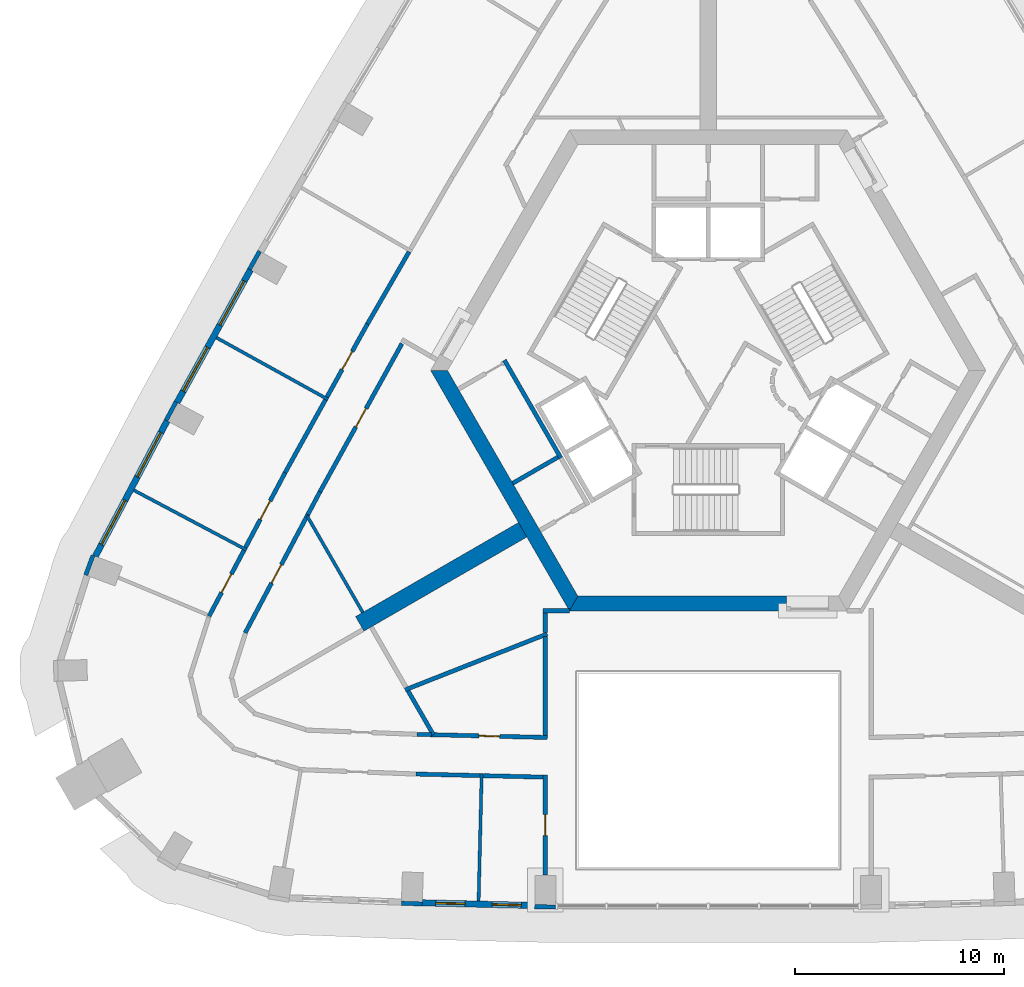
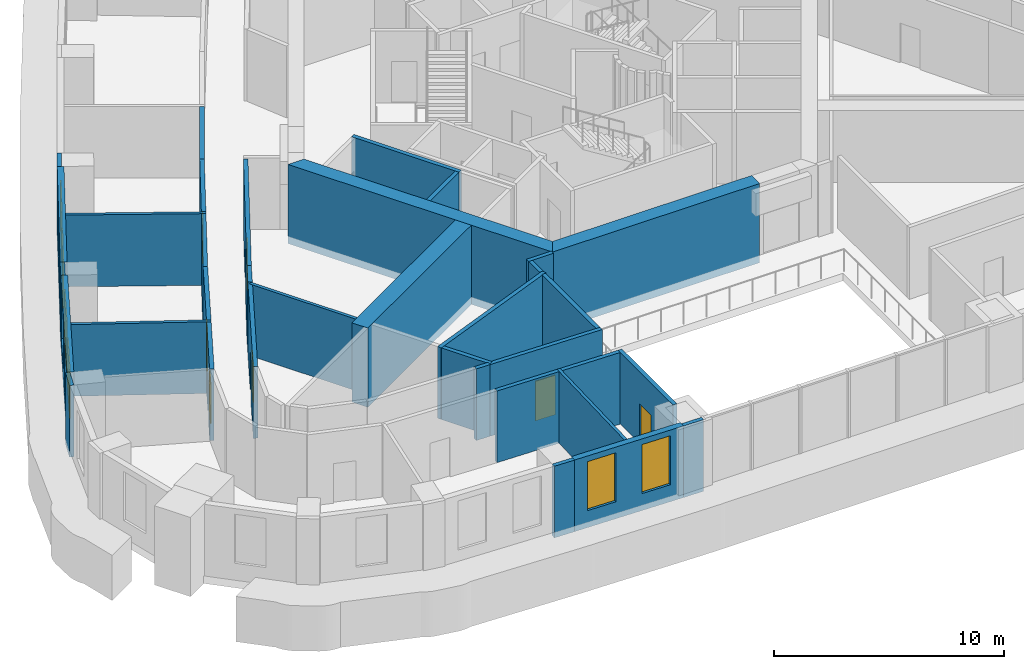
# One storey, part 4 of 13: 35 walls, 7 doors, 6 windows, 13 openings.
"""IFC4 building model written with IfcOpenShell, lengths in metres."""

from ifc_helpers import new_model, si_unit, direction, frame, frame_2d, origin, place, context, subcontext, project, spatial, polyline, rectangle, outline, extrude, material, layer, layer_set, type_object, element, fill, save


model = new_model("IFC4")

# Units and contexts
model_context = context("Model", 3, precision=1e-05, world=origin(), true_north=direction((0.0, 1.0)))
body_context = subcontext(model_context, "Body", "Model", "MODEL_VIEW")
ifc_project = project(units=[si_unit("LENGTHUNIT", "METRE"), si_unit("AREAUNIT", "SQUARE_METRE"), si_unit("VOLUMEUNIT", "CUBIC_METRE"), si_unit("PLANEANGLEUNIT", "RADIAN"), si_unit("MASSUNIT", "GRAM", prefix="KILO")], contexts=[model_context])

# Site, building, storey
site_placement = place(None, origin())
site = spatial("IfcSite", under=ifc_project, at=site_placement, CompositionType="ELEMENT")
building_placement = place(site_placement, origin())
building = spatial("IfcBuilding", under=site, at=building_placement, Name="Entoto Arch Interchange Tower", CompositionType="ELEMENT")
storey_placement = place(building_placement, frame((0.0, 0.0, 219.199951171875)))
storey = spatial("IfcBuildingStorey", under=building, at=storey_placement, Name="L49", CompositionType="ELEMENT", Elevation=219.199951171875)

# Walls
ifc_material_1 = material(Name="Concrete C50/60", Category="concrete")
ifc_layer_1 = layer(ifc_material_1, 0.800048828125)
ifc_layer_set_1 = layer_set([ifc_layer_1], Name="Concrete C50/60")
wall_type_1 = type_object("IfcWallType", Name="Buttress wall 800 C50/60", PredefinedType="SHEAR", material=ifc_layer_set_1)
wall_1_placement = place(storey_placement, frame((-8.876953125, -5.125, -0.39990234375), z_axis=(0.0, 0.0, 1.0), x_axis=(-0.866017533419, -0.500013631625, 0.0)))
element("IfcWall", 1, at=wall_1_placement, inside=storey, type_object=wall_type_1, Name="Buttress wall SW L49", PredefinedType="SHEAR", context=body_context, shape_type="SweptSolid", body=[
    extrude(rectangle(XDim=8.999755859375, YDim=0.800048828125, at=frame_2d((4.5, 0.0))), origin(), (0.0, 0.0, 1.0), 4.199951171875),
])
ifc_layer_2 = layer(ifc_material_1, 0.699951171875)
ifc_layer_set_2 = layer_set([ifc_layer_2], Name="Concrete C50/60")
wall_type_2 = type_object("IfcWallType", Name="Core wall 700 C50/60", PredefinedType="SHEAR", material=ifc_layer_set_2)
wall_2_placement = place(storey_placement, frame((0.0, 0.0, -0.39990234375)))
element("IfcWall", 2, at=wall_2_placement, inside=storey, type_object=wall_type_2, Name="Core wall SW L49", PredefinedType="SHEAR", context=body_context, shape_type="SweptSolid", body=[
    extrude(outline(polyline([(-13.279052734375, 2.5), (-6.639892578125, -9.0), (-6.235107421875, -8.300048828125), (-12.470947265625, 2.5), (-13.279052734375, 2.5)])), origin(), (0.0, 0.0, 1.0), 4.199951171875),
])
wall_3_placement = place(storey_placement, frame((0.0, 0.0, -0.39990234375)))
element("IfcWall", 3, at=wall_3_placement, inside=storey, type_object=wall_type_2, Name="Core wall S L49", PredefinedType="SHEAR", context=body_context, shape_type="SweptSolid", body=[
    extrude(outline(polyline([(3.75, -9.0), (3.75, -8.300048828125), (-6.235107421875, -8.300048828125), (-6.639892578125, -9.0), (3.75, -9.0)])), origin(), (0.0, 0.0, 1.0), 4.199951171875),
])
ifc_material_2 = material(Name="Gypsum board partition on steel studs", Category="steel")
ifc_layer_3 = layer(ifc_material_2, 0.14990234375)
ifc_layer_set_3 = layer_set([ifc_layer_3], Name="Gypsum board partition on steel studs")
wall_type_3 = type_object("IfcWallType", Name="PARTITION 150", PredefinedType="PARTITIONING", material=ifc_layer_set_3)
wall_4_placement = place(storey_placement, frame((-16.52490234375, -9.0791015625, 0.0), z_axis=(0.0, 0.0, 1.0), x_axis=(-0.499943228252, 0.866058178487, 0.0)))
element("IfcWall", 4, at=wall_4_placement, inside=storey, type_object=wall_type_3, Name="wall:L49:p113", PredefinedType="PARTITIONING", context=body_context, shape_type="SweptSolid", body=[
    extrude(rectangle(XDim=5.32861328125, YDim=0.14990234375, at=frame_2d((2.664306640625, 0.0))), origin(), (0.0, 0.0, 1.0), 3.800048828125),
])
wall_5_placement = place(storey_placement, frame((-18.18896484375, 1.111083984375, 0.0), z_axis=(0.0, 0.0, 1.0), x_axis=(-0.874928335558, 0.484252421405, 0.0)))
element("IfcWall", 5, at=wall_5_placement, inside=storey, type_object=wall_type_3, Name="wall:L49:p126", PredefinedType="PARTITIONING", context=body_context, shape_type="SweptSolid", body=[
    extrude(rectangle(XDim=6.099853515625, YDim=0.14990234375, at=frame_2d((3.0498046875, 0.0))), origin(), (0.0, 0.0, 1.0), 3.800048828125),
])
wall_6_placement = place(storey_placement, frame((-22.0869140625, -6.089111328125, 0.0), z_axis=(0.0, 0.0, 1.0), x_axis=(-0.883611647524, 0.468220521079, 0.0)))
element("IfcWall", 6, at=wall_6_placement, inside=storey, type_object=wall_type_3, Name="wall:L49:p127", PredefinedType="PARTITIONING", context=body_context, shape_type="SweptSolid", body=[
    extrude(rectangle(XDim=6.10009765625, YDim=0.14990234375, at=frame_2d((3.050048828125, 0.0))), origin(), (0.0, 0.0, 1.0), 3.800048828125),
])
wall_7_placement = place(storey_placement, frame((-10.837890625, -16.785888671875, 0.0), z_axis=(0.0, 0.0, 1.0), x_axis=(-0.024134212614, -0.999708727471, 0.0)))
element("IfcWall", 7, at=wall_7_placement, inside=storey, type_object=wall_type_3, Name="wall:L49:p130", PredefinedType="PARTITIONING", context=body_context, shape_type="SweptSolid", body=[
    extrude(rectangle(XDim=6.099853515625, YDim=0.14990234375, at=frame_2d((3.0498046875, 0.0))), origin(), (0.0, 0.0, 1.0), 3.800048828125),
])

# Wall, opening, door
ifc_layer_4 = layer(ifc_material_2, 0.199951171875)
ifc_layer_set_4 = layer_set([ifc_layer_4], Name="Gypsum board partition on steel studs")
wall_type_4 = type_object("IfcWallType", Name="PARTITION 200", PredefinedType="PARTITIONING", material=ifc_layer_set_4)
wall_8_placement = place(storey_placement, frame((-14.652099609375, 3.782958984375, 0.0), z_axis=(0.0, 0.0, 1.0), x_axis=(-0.484249955458, -0.874929700398, 0.0)))
wall_8 = element("IfcWall", 8, at=wall_8_placement, inside=storey, type_object=wall_type_4, Name="wall:L49:p025", PredefinedType="PARTITIONING", context=body_context, shape_type="SweptSolid", body=[
    extrude(rectangle(XDim=8.098876953125, YDim=0.199951171875, at=frame_2d((4.04931640625, 0.0))), origin(), (0.0, 0.0, 1.0), 3.800048828125),
])
opening_1_placement = place(wall_8_placement, frame((3.550048828125, 0.0, 0.0)))
opening_1 = element("IfcOpeningElement", 9, at=opening_1_placement, cuts=wall_8, Name="Opening L49-D21", PredefinedType="OPENING", context=body_context, shape_type="SweptSolid", body=[
    extrude(rectangle(XDim=1.0, YDim=2.10009765625, at=frame_2d((0.5, 1.050048828125))), frame((0.0, 0.10986328125, 0.0), z_axis=(0.0, -1.0, 0.0), x_axis=(1.0, 0.0, 0.0)), (0.0, 0.0, 1.0), 0.219970703125),
])
ifc_material_3 = material(Name="Timber door leaf in Steel S235 frame", Category="steel")
door_type = type_object("IfcDoorType", Name="DOOR DS-10 1000x2100", OperationType="SINGLE_SWING_LEFT", PredefinedType="DOOR", material=ifc_material_3)
door_1_placement = place(opening_1_placement, origin())
door_1 = element("IfcDoor", 10, at=door_1_placement, inside=storey, type_object=door_type, Name="door:L49:21", OperationType="SINGLE_SWING_LEFT", OverallHeight=2.10009765625, OverallWidth=1.0, PredefinedType="DOOR", context=body_context, shape_type="SweptSolid", body=[
    extrude(rectangle(XDim=1.0, YDim=2.10009765625, at=frame_2d((0.5, 1.050048828125))), frame((0.0, 0.02490234375, 0.0), z_axis=(0.0, -1.0, 0.0), x_axis=(1.0, 0.0, 0.0)), (0.0, 0.0, 1.0), 0.050048828125),
])
fill(opening_1, door_1)

# Wall
wall_9_placement = place(storey_placement, frame((-18.573974609375, -3.302978515625, 0.0), z_axis=(0.0, 0.0, 1.0), x_axis=(-0.468458328651, -0.883485593724, 0.0)))
element("IfcWall", 11, at=wall_9_placement, inside=storey, type_object=wall_type_4, Name="wall:L49:p026", PredefinedType="PARTITIONING", context=body_context, shape_type="SweptSolid", body=[
    extrude(rectangle(XDim=1.23828125, YDim=0.199951171875, at=frame_2d((0.619140625, 0.0))), origin(), (0.0, 0.0, 1.0), 3.800048828125),
])

# Wall, opening, door
wall_10_placement = place(storey_placement, frame((-13.24609375, -14.927001953125, 0.0), z_axis=(0.0, 0.0, 1.0), x_axis=(0.999708107757, -0.024159869312, 0.0)))
wall_10 = element("IfcWall", 12, at=wall_10_placement, inside=storey, type_object=wall_type_4, Name="wall:L49:p027", PredefinedType="PARTITIONING", context=body_context, shape_type="SweptSolid", body=[
    extrude(rectangle(XDim=5.5478515625, YDim=0.199951171875, at=frame_2d((2.77392578125, 0.0))), origin(), (0.0, 0.0, 1.0), 3.800048828125),
])
opening_2_placement = place(wall_10_placement, frame((2.27392578125, 0.0, 0.0)))
opening_2 = element("IfcOpeningElement", 13, at=opening_2_placement, cuts=wall_10, Name="Opening L49-D22", PredefinedType="OPENING", context=body_context, shape_type="SweptSolid", body=[
    extrude(rectangle(XDim=1.0, YDim=2.10009765625, at=frame_2d((0.5, 1.050048828125))), frame((0.0, 0.10986328125, 0.0), z_axis=(0.0, -1.0, 0.0), x_axis=(1.0, 0.0, 0.0)), (0.0, 0.0, 1.0), 0.219970703125),
])
door_2_placement = place(opening_2_placement, origin())
door_2 = element("IfcDoor", 14, at=door_2_placement, inside=storey, type_object=door_type, Name="door:L49:22", OperationType="SINGLE_SWING_LEFT", OverallHeight=2.10009765625, OverallWidth=1.0, PredefinedType="DOOR", context=body_context, shape_type="SweptSolid", body=[
    extrude(rectangle(XDim=1.0, YDim=2.10009765625, at=frame_2d((0.5, 1.050048828125))), frame((0.0, 0.02490234375, 0.0), z_axis=(0.0, -1.0, 0.0), x_axis=(1.0, 0.0, 0.0)), (0.0, 0.0, 1.0), 0.050048828125),
])
fill(opening_2, door_2)

wall_11_placement = place(storey_placement, frame((-19.154052734375, -4.39697265625, 0.0), z_axis=(0.0, 0.0, 1.0), x_axis=(-0.468118749105, -0.883665568378, 0.0)))
wall_11 = element("IfcWall", 15, at=wall_11_placement, inside=storey, type_object=wall_type_4, Name="wall:L49:p028", PredefinedType="PARTITIONING", context=body_context, shape_type="SweptSolid", body=[
    extrude(rectangle(XDim=6.40869140625, YDim=0.199951171875, at=frame_2d((3.204345703125, 0.0))), origin(), (0.0, 0.0, 1.0), 3.800048828125),
])
opening_3_placement = place(wall_11_placement, frame((2.7041015625, 0.0, 0.0)))
opening_3 = element("IfcOpeningElement", 16, at=opening_3_placement, cuts=wall_11, Name="Opening L49-D23", PredefinedType="OPENING", context=body_context, shape_type="SweptSolid", body=[
    extrude(rectangle(XDim=1.0, YDim=2.10009765625, at=frame_2d((0.5, 1.050048828125))), frame((0.0, 0.10986328125, 0.0), z_axis=(0.0, -1.0, 0.0), x_axis=(1.0, 0.0, 0.0)), (0.0, 0.0, 1.0), 0.219970703125),
])
door_3_placement = place(opening_3_placement, origin())
door_3 = element("IfcDoor", 17, at=door_3_placement, inside=storey, type_object=door_type, Name="door:L49:23", OperationType="SINGLE_SWING_LEFT", OverallHeight=2.10009765625, OverallWidth=1.0, PredefinedType="DOOR", context=body_context, shape_type="SweptSolid", body=[
    extrude(rectangle(XDim=1.0, YDim=2.10009765625, at=frame_2d((0.5, 1.050048828125))), frame((0.0, 0.02490234375, 0.0), z_axis=(0.0, -1.0, 0.0), x_axis=(1.0, 0.0, 0.0)), (0.0, 0.0, 1.0), 0.050048828125),
])
fill(opening_3, door_3)

# Wall
wall_12_placement = place(storey_placement, frame((-13.928955078125, -14.910888671875, 0.0), z_axis=(0.0, 0.0, 1.0), x_axis=(0.999721713829, -0.023590144123, 0.0)))
element("IfcWall", 18, at=wall_12_placement, inside=storey, type_object=wall_type_4, Name="wall:L49:p034", PredefinedType="PARTITIONING", context=body_context, shape_type="SweptSolid", body=[
    extrude(rectangle(XDim=0.68310546875, YDim=0.199951171875, at=frame_2d((0.341552734375, 0.0))), origin(), (0.0, 0.0, 1.0), 3.800048828125),
])

# Wall, opening, door
wall_13_placement = place(storey_placement, frame((-18.239990234375, 1.22509765625, 0.0), z_axis=(0.0, 0.0, 1.0), x_axis=(0.484411997038, 0.874839995156, 0.0)))
wall_13 = element("IfcWall", 19, at=wall_13_placement, inside=storey, type_object=wall_type_4, Name="wall:L49:p055", PredefinedType="PARTITIONING", context=body_context, shape_type="SweptSolid", body=[
    extrude(rectangle(XDim=3.99267578125, YDim=0.199951171875, at=frame_2d((1.996337890625, 0.0))), origin(), (0.0, 0.0, 1.0), 3.800048828125),
])
opening_4_placement = place(wall_13_placement, frame((1.49609375, 0.0, 0.0)))
opening_4 = element("IfcOpeningElement", 20, at=opening_4_placement, cuts=wall_13, Name="Opening L49-D10", PredefinedType="OPENING", context=body_context, shape_type="SweptSolid", body=[
    extrude(rectangle(XDim=1.0, YDim=2.10009765625, at=frame_2d((0.5, 1.050048828125))), frame((0.0, 0.10986328125, 0.0), z_axis=(0.0, -1.0, 0.0), x_axis=(1.0, 0.0, 0.0)), (0.0, 0.0, 1.0), 0.219970703125),
])
door_4_placement = place(opening_4_placement, origin())
door_4 = element("IfcDoor", 21, at=door_4_placement, inside=storey, type_object=door_type, Name="door:L49:10", OperationType="SINGLE_SWING_LEFT", OverallHeight=2.10009765625, OverallWidth=1.0, PredefinedType="DOOR", context=body_context, shape_type="SweptSolid", body=[
    extrude(rectangle(XDim=1.0, YDim=2.10009765625, at=frame_2d((0.5, 1.050048828125))), frame((0.0, 0.02490234375, 0.0), z_axis=(0.0, -1.0, 0.0), x_axis=(1.0, 0.0, 0.0)), (0.0, 0.0, 1.0), 0.050048828125),
])
fill(opening_4, door_4)

# Wall
wall_14_placement = place(storey_placement, frame((-16.305908203125, 4.718017578125, 0.0), z_axis=(0.0, 0.0, 1.0), x_axis=(0.499803646539, 0.866138738832, 0.0)))
element("IfcWall", 22, at=wall_14_placement, inside=storey, type_object=wall_type_4, Name="wall:L49:p056", PredefinedType="PARTITIONING", context=body_context, shape_type="SweptSolid", body=[
    extrude(rectangle(XDim=3.9912109375, YDim=0.199951171875, at=frame_2d((1.99560546875, 0.0))), origin(), (0.0, 0.0, 1.0), 3.800048828125),
])

# Wall, opening, door
wall_15_placement = place(storey_placement, frame((-22.139892578125, -5.97607421875, 0.0), z_axis=(0.0, 0.0, 1.0), x_axis=(0.467979143965, 0.883739509592, 0.0)))
wall_15 = element("IfcWall", 23, at=wall_15_placement, inside=storey, type_object=wall_type_4, Name="wall:L49:p057", PredefinedType="PARTITIONING", context=body_context, shape_type="SweptSolid", body=[
    extrude(rectangle(XDim=4.048828125, YDim=0.199951171875, at=frame_2d((2.0244140625, 0.0))), origin(), (0.0, 0.0, 1.0), 3.800048828125),
])
opening_5_placement = place(wall_15_placement, frame((1.52392578125, 0.0, 0.0)))
opening_5 = element("IfcOpeningElement", 24, at=opening_5_placement, cuts=wall_15, Name="Opening L49-D11", PredefinedType="OPENING", context=body_context, shape_type="SweptSolid", body=[
    extrude(rectangle(XDim=1.0, YDim=2.10009765625, at=frame_2d((0.5, 1.050048828125))), frame((0.0, 0.10986328125, 0.0), z_axis=(0.0, -1.0, 0.0), x_axis=(1.0, 0.0, 0.0)), (0.0, 0.0, 1.0), 0.219970703125),
])
door_5_placement = place(opening_5_placement, origin())
door_5 = element("IfcDoor", 25, at=door_5_placement, inside=storey, type_object=door_type, Name="door:L49:11", OperationType="SINGLE_SWING_LEFT", OverallHeight=2.10009765625, OverallWidth=1.0, PredefinedType="DOOR", context=body_context, shape_type="SweptSolid", body=[
    extrude(rectangle(XDim=1.0, YDim=2.10009765625, at=frame_2d((0.5, 1.050048828125))), frame((0.0, 0.02490234375, 0.0), z_axis=(0.0, -1.0, 0.0), x_axis=(1.0, 0.0, 0.0)), (0.0, 0.0, 1.0), 0.050048828125),
])
fill(opening_5, door_5)

# Wall
wall_16_placement = place(storey_placement, frame((-20.2451171875, -2.39794921875, 0.0), z_axis=(0.0, 0.0, 1.0), x_axis=(0.484328424129, 0.874886265511, 0.0)))
element("IfcWall", 26, at=wall_16_placement, inside=storey, type_object=wall_type_4, Name="wall:L49:p058", PredefinedType="PARTITIONING", context=body_context, shape_type="SweptSolid", body=[
    extrude(rectangle(XDim=3.9912109375, YDim=0.199951171875, at=frame_2d((1.99560546875, 0.0))), origin(), (0.0, 0.0, 1.0), 3.800048828125),
])

# Wall, opening, door
wall_17_placement = place(storey_placement, frame((-23.8779296875, -9.256103515625, 0.0), z_axis=(0.0, 0.0, 1.0), x_axis=(0.46795384568, 0.883752905689, 0.0)))
wall_17 = element("IfcWall", 27, at=wall_17_placement, inside=storey, type_object=wall_type_4, Name="wall:L49:p059", PredefinedType="PARTITIONING", context=body_context, shape_type="SweptSolid", body=[
    extrude(rectangle(XDim=3.562255859375, YDim=0.199951171875, at=frame_2d((1.78125, 0.0))), origin(), (0.0, 0.0, 1.0), 3.800048828125),
])
opening_6_placement = place(wall_17_placement, frame((1.281005859375, 0.0, 0.0)))
opening_6 = element("IfcOpeningElement", 28, at=opening_6_placement, cuts=wall_17, Name="Opening L49-D12", PredefinedType="OPENING", context=body_context, shape_type="SweptSolid", body=[
    extrude(rectangle(XDim=1.0, YDim=2.10009765625, at=frame_2d((0.5, 1.050048828125))), frame((0.0, 0.10986328125, 0.0), z_axis=(0.0, -1.0, 0.0), x_axis=(1.0, 0.0, 0.0)), (0.0, 0.0, 1.0), 0.219970703125),
])
door_6_placement = place(opening_6_placement, origin())
door_6 = element("IfcDoor", 29, at=door_6_placement, inside=storey, type_object=door_type, Name="door:L49:12", OperationType="SINGLE_SWING_LEFT", OverallHeight=2.10009765625, OverallWidth=1.0, PredefinedType="DOOR", context=body_context, shape_type="SweptSolid", body=[
    extrude(rectangle(XDim=1.0, YDim=2.10009765625, at=frame_2d((0.5, 1.050048828125))), frame((0.0, 0.02490234375, 0.0), z_axis=(0.0, -1.0, 0.0), x_axis=(1.0, 0.0, 0.0)), (0.0, 0.0, 1.0), 0.050048828125),
])
fill(opening_6, door_6)

# Walls
wall_18_placement = place(storey_placement, frame((-10.9150390625, -16.884033203125, 0.0), z_axis=(0.0, 0.0, 1.0), x_axis=(-0.999710384303, 0.024065483947, 0.0)))
element("IfcWall", 30, at=wall_18_placement, inside=storey, type_object=wall_type_4, Name="wall:L49:p064", PredefinedType="PARTITIONING", context=body_context, shape_type="SweptSolid", body=[
    extrude(rectangle(XDim=3.073974609375, YDim=0.199951171875, at=frame_2d((1.537109375, 0.0))), origin(), (0.0, 0.0, 1.0), 3.800048828125),
])
wall_19_placement = place(storey_placement, frame((-7.89990234375, -16.95703125, 0.0), z_axis=(0.0, 0.0, 1.0), x_axis=(-0.999709338637, 0.024108883071, 0.0)))
element("IfcWall", 31, at=wall_19_placement, inside=storey, type_object=wall_type_4, Name="wall:L49:p066", PredefinedType="PARTITIONING", context=body_context, shape_type="SweptSolid", body=[
    extrude(rectangle(XDim=2.86572265625, YDim=0.199951171875, at=frame_2d((1.432861328125, 0.0))), origin(), (0.0, 0.0, 1.0), 3.800048828125),
])
wall_20_placement = place(storey_placement, frame((-7.18798828125, -1.64990234375, 0.0), z_axis=(0.0, 0.0, 1.0), x_axis=(-0.866022959057, -0.500004234368, 0.0)))
element("IfcWall", 32, at=wall_20_placement, inside=storey, type_object=wall_type_4, Name="wall:L49:p078", PredefinedType="PARTITIONING", context=body_context, shape_type="SweptSolid", body=[
    extrude(rectangle(XDim=2.5, YDim=0.199951171875, at=frame_2d((1.25, 0.0))), origin(), (0.0, 0.0, 1.0), 3.800048828125),
])
wall_21_placement = place(storey_placement, frame((-9.7509765625, 2.989990234375, 0.0), z_axis=(0.0, 0.0, 1.0), x_axis=(0.499955951776, -0.866050833545, 0.0)))
element("IfcWall", 33, at=wall_21_placement, inside=storey, type_object=wall_type_4, Name="wall:L49:p080", PredefinedType="PARTITIONING", context=body_context, shape_type="SweptSolid", body=[
    extrude(rectangle(XDim=5.400390625, YDim=0.199951171875, at=frame_2d((2.7001953125, 0.0))), origin(), (0.0, 0.0, 1.0), 3.800048828125),
])
wall_22_placement = place(storey_placement, frame((-7.800048828125, -10.041015625, 0.0), z_axis=(0.0, 0.0, 1.0), x_axis=(0.0, 1.0, 0.0)))
element("IfcWall", 34, at=wall_22_placement, inside=storey, type_object=wall_type_4, Name="wall:L49:p102", PredefinedType="PARTITIONING", context=body_context, shape_type="SweptSolid", body=[
    extrude(rectangle(XDim=0.94189453125, YDim=0.199951171875, at=frame_2d((0.470947265625, 0.0))), origin(), (0.0, 0.0, 1.0), 3.800048828125),
])
wall_23_placement = place(storey_placement, frame((-7.89990234375, -8.9990234375, 0.0), z_axis=(0.0, 0.0, 1.0), x_axis=(1.0, 0.0, 0.0)))
element("IfcWall", 35, at=wall_23_placement, inside=storey, type_object=wall_type_4, Name="wall:L49:p103", PredefinedType="PARTITIONING", context=body_context, shape_type="SweptSolid", body=[
    extrude(rectangle(XDim=1.2587890625, YDim=0.199951171875, at=frame_2d((0.62939453125, 0.0))), origin(), (0.0, 0.0, 1.0), 3.800048828125),
])
wall_24_placement = place(storey_placement, frame((-7.800048828125, -14.958984375, 0.0), z_axis=(0.0, 0.0, 1.0), x_axis=(0.0, 1.0, 0.0)))
element("IfcWall", 36, at=wall_24_placement, inside=storey, type_object=wall_type_4, Name="wall:L49:p104", PredefinedType="PARTITIONING", context=body_context, shape_type="SweptSolid", body=[
    extrude(rectangle(XDim=4.718017578125, YDim=0.199951171875, at=frame_2d((2.35888671875, 0.0))), origin(), (0.0, 0.0, 1.0), 3.800048828125),
])

# Wall, opening, door
wall_25_placement = place(storey_placement, frame((-7.800048828125, -21.64111328125, 0.0), z_axis=(0.0, 0.0, 1.0), x_axis=(0.0, 1.0, 0.0)))
wall_25 = element("IfcWall", 37, at=wall_25_placement, inside=storey, type_object=wall_type_4, Name="wall:L49:p106", PredefinedType="PARTITIONING", context=body_context, shape_type="SweptSolid", body=[
    extrude(rectangle(XDim=4.7822265625, YDim=0.199951171875, at=frame_2d((2.39111328125, 0.0))), origin(), (0.0, 0.0, 1.0), 3.800048828125),
])
opening_7_placement = place(wall_25_placement, frame((1.89111328125, 0.0, 0.0)))
opening_7 = element("IfcOpeningElement", 38, at=opening_7_placement, cuts=wall_25, Name="Opening L49-D15", PredefinedType="OPENING", context=body_context, shape_type="SweptSolid", body=[
    extrude(rectangle(XDim=1.0, YDim=2.10009765625, at=frame_2d((0.5, 1.050048828125))), frame((0.0, 0.10986328125, 0.0), z_axis=(0.0, -1.0, 0.0), x_axis=(1.0, 0.0, 0.0)), (0.0, 0.0, 1.0), 0.219970703125),
])
door_7_placement = place(opening_7_placement, origin())
door_7 = element("IfcDoor", 39, at=door_7_placement, inside=storey, type_object=door_type, Name="door:L49:15", OperationType="SINGLE_SWING_LEFT", OverallHeight=2.10009765625, OverallWidth=1.0, PredefinedType="DOOR", context=body_context, shape_type="SweptSolid", body=[
    extrude(rectangle(XDim=1.0, YDim=2.10009765625, at=frame_2d((0.5, 1.050048828125))), frame((0.0, 0.02490234375, 0.0), z_axis=(0.0, -1.0, 0.0), x_axis=(1.0, 0.0, 0.0)), (0.0, 0.0, 1.0), 0.050048828125),
])
fill(opening_7, door_7)

# Walls
wall_26_placement = place(storey_placement, frame((-7.70703125, -10.10498046875, 0.0), z_axis=(0.0, 0.0, 1.0), x_axis=(-0.930316800812, -0.36675693603, 0.0)))
element("IfcWall", 40, at=wall_26_placement, inside=storey, type_object=wall_type_4, Name="wall:L49:p112", PredefinedType="PARTITIONING", context=body_context, shape_type="SweptSolid", body=[
    extrude(rectangle(XDim=7.3017578125, YDim=0.199951171875, at=frame_2d((3.65087890625, 0.0))), origin(), (0.0, 0.0, 1.0), 3.800048828125),
])
wall_27_placement = place(storey_placement, frame((-13.14599609375, -14.929931640625, 0.0), z_axis=(0.0, 0.0, 1.0), x_axis=(-0.500086091327, 0.865975693228, 0.0)))
element("IfcWall", 41, at=wall_27_placement, inside=storey, type_object=wall_type_4, Name="wall:L49:p115", PredefinedType="PARTITIONING", context=body_context, shape_type="SweptSolid", body=[
    extrude(rectangle(XDim=2.42138671875, YDim=0.199951171875, at=frame_2d((1.210693359375, 0.0))), origin(), (0.0, 0.0, 1.0), 3.800048828125),
])

# Wall, openings, windows
ifc_material_4 = material(Name="Welded tuff (ignimbrite) cladding, warm buff", Category="masonry")
ifc_layer_5 = layer(ifc_material_4, 0.300048828125)
ifc_layer_set_5 = layer_set([ifc_layer_5], Name="Welded tuff (ignimbrite) cladding, warm buff")
wall_type_5 = type_object("IfcWallType", Name="STONE INFILL WALL 300", PredefinedType="STANDARD", material=ifc_layer_set_5)
wall_28_placement = place(storey_placement, frame((-13.680908203125, -22.968994140625, 0.0), z_axis=(0.0, 0.0, 1.0), x_axis=(0.999708030006, -0.024163086341, 0.0)))
wall_28 = element("IfcWall", 42, at=wall_28_placement, inside=storey, type_object=wall_type_5, Name="Facade wall S-02 L49", PredefinedType="STANDARD", context=body_context, shape_type="SweptSolid", body=[
    extrude(rectangle(XDim=5.38525390625, YDim=0.300048828125, at=frame_2d((2.692626953125, 0.0))), origin(), (0.0, 0.0, 1.0), 3.800048828125),
])
opening_8_placement = place(wall_28_placement, frame((0.64599609375, 0.0, 0.89990234375)))
opening_8 = element("IfcOpeningElement", 43, at=opening_8_placement, cuts=wall_28, Name="Opening WO-B", PredefinedType="OPENING", context=body_context, shape_type="SweptSolid", body=[
    extrude(rectangle(XDim=1.39990234375, YDim=2.60009765625, at=frame_2d((0.699951171875, 1.300048828125))), frame((0.0, 0.16015625, 0.0), z_axis=(0.0, -1.0, 0.0), x_axis=(1.0, 0.0, 0.0)), (0.0, 0.0, 1.0), 0.320068359375),
])
opening_9_placement = place(wall_28_placement, frame((3.339111328125, 0.0, 0.89990234375)))
opening_9 = element("IfcOpeningElement", 44, at=opening_9_placement, cuts=wall_28, Name="Opening WO-B", PredefinedType="OPENING", context=body_context, shape_type="SweptSolid", body=[
    extrude(rectangle(XDim=1.39990234375, YDim=2.60009765625, at=frame_2d((0.699951171875, 1.300048828125))), frame((0.0, 0.16015625, 0.0), z_axis=(0.0, -1.0, 0.0), x_axis=(1.0, 0.0, 0.0)), (0.0, 0.0, 1.0), 0.320068359375),
])
ifc_material_5 = material(Name="Clear glass, low-e double glazed", Category="glass")
window_type_1 = type_object("IfcWindowType", Name="WINDOW WO-B 1400x2600", PartitioningType="DOUBLE_PANEL_VERTICAL", PredefinedType="WINDOW", material=ifc_material_5)
window_1_placement = place(opening_8_placement, origin())
window_1 = element("IfcWindow", 45, at=window_1_placement, inside=storey, type_object=window_type_1, Name="Window WO-B S-02 L49", OverallHeight=2.60009765625, OverallWidth=1.39990234375, PartitioningType="SINGLE_PANEL", PredefinedType="WINDOW", context=body_context, shape_type="SweptSolid", body=[
    extrude(rectangle(XDim=1.39990234375, YDim=2.60009765625, at=frame_2d((0.699951171875, 1.300048828125))), frame((0.0, 0.030029296875, 0.0), z_axis=(0.0, -1.0, 0.0), x_axis=(1.0, 0.0, 0.0)), (0.0, 0.0, 1.0), 0.06005859375),
])
fill(opening_8, window_1)
window_2_placement = place(opening_9_placement, origin())
window_2 = element("IfcWindow", 46, at=window_2_placement, inside=storey, type_object=window_type_1, Name="Window WO-B S-02 L49", OverallHeight=2.60009765625, OverallWidth=1.39990234375, PartitioningType="SINGLE_PANEL", PredefinedType="WINDOW", context=body_context, shape_type="SweptSolid", body=[
    extrude(rectangle(XDim=1.39990234375, YDim=2.60009765625, at=frame_2d((0.699951171875, 1.300048828125))), frame((0.0, 0.030029296875, 0.0), z_axis=(0.0, -1.0, 0.0), x_axis=(1.0, 0.0, 0.0)), (0.0, 0.0, 1.0), 0.06005859375),
])
fill(opening_9, window_2)

wall_29_placement = place(storey_placement, frame((-21.902099609375, 7.30908203125, 0.0), z_axis=(0.0, 0.0, 1.0), x_axis=(-0.484163461668, -0.87497756679, 0.0)))
wall_29 = element("IfcWall", 47, at=wall_29_placement, inside=storey, type_object=wall_type_5, Name="Facade wall NW-04 L49", PredefinedType="STANDARD", context=body_context, shape_type="SweptSolid", body=[
    extrude(rectangle(XDim=7.2470703125, YDim=0.300048828125, at=frame_2d((3.62353515625, 0.0))), origin(), (0.0, 0.0, 1.0), 3.800048828125),
])
opening_10_placement = place(wall_29_placement, frame((0.612060546875, 0.0, 0.89990234375)))
opening_10 = element("IfcOpeningElement", 48, at=opening_10_placement, cuts=wall_29, Name="Opening WO-A", PredefinedType="OPENING", context=body_context, shape_type="SweptSolid", body=[
    extrude(rectangle(XDim=2.39990234375, YDim=2.60009765625, at=frame_2d((1.199951171875, 1.300048828125))), frame((0.0, 0.16015625, 0.0), z_axis=(0.0, -1.0, 0.0), x_axis=(1.0, 0.0, 0.0)), (0.0, 0.0, 1.0), 0.320068359375),
])
opening_11_placement = place(wall_29_placement, frame((4.235107421875, 0.0, 0.89990234375)))
opening_11 = element("IfcOpeningElement", 49, at=opening_11_placement, cuts=wall_29, Name="Opening WO-A", PredefinedType="OPENING", context=body_context, shape_type="SweptSolid", body=[
    extrude(rectangle(XDim=2.39990234375, YDim=2.60009765625, at=frame_2d((1.199951171875, 1.300048828125))), frame((0.0, 0.16015625, 0.0), z_axis=(0.0, -1.0, 0.0), x_axis=(1.0, 0.0, 0.0)), (0.0, 0.0, 1.0), 0.320068359375),
])
window_type_2 = type_object("IfcWindowType", Name="WINDOW WO-A 2400x2600", PartitioningType="DOUBLE_PANEL_VERTICAL", PredefinedType="WINDOW", material=ifc_material_5)
window_3_placement = place(opening_10_placement, origin())
window_3 = element("IfcWindow", 50, at=window_3_placement, inside=storey, type_object=window_type_2, Name="Window WO-A NW-04 L49", OverallHeight=2.60009765625, OverallWidth=2.39990234375, PartitioningType="SINGLE_PANEL", PredefinedType="WINDOW", context=body_context, shape_type="SweptSolid", body=[
    extrude(rectangle(XDim=2.39990234375, YDim=2.60009765625, at=frame_2d((1.199951171875, 1.300048828125))), frame((0.0, 0.030029296875, 0.0), z_axis=(0.0, -1.0, 0.0), x_axis=(1.0, 0.0, 0.0)), (0.0, 0.0, 1.0), 0.06005859375),
])
fill(opening_10, window_3)
window_4_placement = place(opening_11_placement, origin())
window_4 = element("IfcWindow", 51, at=window_4_placement, inside=storey, type_object=window_type_2, Name="Window WO-A NW-04 L49", OverallHeight=2.60009765625, OverallWidth=2.39990234375, PartitioningType="SINGLE_PANEL", PredefinedType="WINDOW", context=body_context, shape_type="SweptSolid", body=[
    extrude(rectangle(XDim=2.39990234375, YDim=2.60009765625, at=frame_2d((1.199951171875, 1.300048828125))), frame((0.0, 0.030029296875, 0.0), z_axis=(0.0, -1.0, 0.0), x_axis=(1.0, 0.0, 0.0)), (0.0, 0.0, 1.0), 0.06005859375),
])
fill(opening_11, window_4)

wall_30_placement = place(storey_placement, frame((-25.886962890625, 0.090087890625, 0.0), z_axis=(0.0, 0.0, 1.0), x_axis=(-0.468020680141, -0.8837175131, 0.0)))
wall_30 = element("IfcWall", 52, at=wall_30_placement, inside=storey, type_object=wall_type_5, Name="Facade wall NW-05 L49", PredefinedType="STANDARD", context=body_context, shape_type="SweptSolid", body=[
    extrude(rectangle(XDim=7.339599609375, YDim=0.300048828125, at=frame_2d((3.669921875, 0.0))), origin(), (0.0, 0.0, 1.0), 3.800048828125),
])
opening_12_placement = place(wall_30_placement, frame((0.635009765625, 0.0, 0.89990234375)))
opening_12 = element("IfcOpeningElement", 53, at=opening_12_placement, cuts=wall_30, Name="Opening WO-A", PredefinedType="OPENING", context=body_context, shape_type="SweptSolid", body=[
    extrude(rectangle(XDim=2.39990234375, YDim=2.60009765625, at=frame_2d((1.199951171875, 1.300048828125))), frame((0.0, 0.16015625, 0.0), z_axis=(0.0, -1.0, 0.0), x_axis=(1.0, 0.0, 0.0)), (0.0, 0.0, 1.0), 0.320068359375),
])
opening_13_placement = place(wall_30_placement, frame((4.304931640625, 0.0, 0.89990234375)))
opening_13 = element("IfcOpeningElement", 54, at=opening_13_placement, cuts=wall_30, Name="Opening WO-A", PredefinedType="OPENING", context=body_context, shape_type="SweptSolid", body=[
    extrude(rectangle(XDim=2.39990234375, YDim=2.60009765625, at=frame_2d((1.199951171875, 1.300048828125))), frame((0.0, 0.16015625, 0.0), z_axis=(0.0, -1.0, 0.0), x_axis=(1.0, 0.0, 0.0)), (0.0, 0.0, 1.0), 0.320068359375),
])
window_5_placement = place(opening_12_placement, origin())
window_5 = element("IfcWindow", 55, at=window_5_placement, inside=storey, type_object=window_type_2, Name="Window WO-A NW-05 L49", OverallHeight=2.60009765625, OverallWidth=2.39990234375, PartitioningType="SINGLE_PANEL", PredefinedType="WINDOW", context=body_context, shape_type="SweptSolid", body=[
    extrude(rectangle(XDim=2.39990234375, YDim=2.60009765625, at=frame_2d((1.199951171875, 1.300048828125))), frame((0.0, 0.030029296875, 0.0), z_axis=(0.0, -1.0, 0.0), x_axis=(1.0, 0.0, 0.0)), (0.0, 0.0, 1.0), 0.06005859375),
])
fill(opening_12, window_5)
window_6_placement = place(opening_13_placement, origin())
window_6 = element("IfcWindow", 56, at=window_6_placement, inside=storey, type_object=window_type_2, Name="Window WO-A NW-05 L49", OverallHeight=2.60009765625, OverallWidth=2.39990234375, PartitioningType="SINGLE_PANEL", PredefinedType="WINDOW", context=body_context, shape_type="SweptSolid", body=[
    extrude(rectangle(XDim=2.39990234375, YDim=2.60009765625, at=frame_2d((1.199951171875, 1.300048828125))), frame((0.0, 0.030029296875, 0.0), z_axis=(0.0, -1.0, 0.0), x_axis=(1.0, 0.0, 0.0)), (0.0, 0.0, 1.0), 0.06005859375),
])
fill(opening_13, window_6)

# Walls
ifc_layer_6 = layer(ifc_material_4, 0.199951171875)
ifc_layer_set_6 = layer_set([ifc_layer_6], Name="Welded tuff (ignimbrite) cladding, warm buff")
wall_type_6 = type_object("IfcWallType", Name="STONE PIER CLADDING 200", PredefinedType="STANDARD", material=ifc_layer_set_6)
for number, where, z_axis, x_axis, name in (
    (57, (-21.4580078125, 8.205078125, 0.0), (0.0, 0.0, 1.0), (-0.491743606947, -0.87074004446, 0.0), "Stone pier NW04 L49"),
    (58, (-25.4599609375, 0.9951171875, 0.0), (0.0, 0.0, 1.0), (-0.473852444207, -0.880604259085, 0.0), "Stone pier NW05 L49"),
):
    element("IfcWall", number, at=place(storey_placement, frame(where, z_axis=z_axis, x_axis=x_axis)), inside=storey, type_object=wall_type_6, Name=name, PredefinedType="STANDARD", context=body_context, shape_type="SweptSolid", body=[
        extrude(rectangle(XDim=1.00048828125, YDim=0.199951171875, at=frame_2d((0.500244140625, 0.0))), origin(), (0.0, 0.0, 1.0), 3.800048828125),
    ])
wall_31_placement = place(storey_placement, frame((-29.43310546875, -6.35400390625, 0.0), z_axis=(0.0, 0.0, 1.0), x_axis=(-0.346892928577, -0.937904737222, 0.0)))
element("IfcWall", 59, at=wall_31_placement, inside=storey, type_object=wall_type_6, Name="Stone pier NW06 L49", PredefinedType="STANDARD", context=body_context, shape_type="SweptSolid", body=[
    extrude(rectangle(XDim=1.0, YDim=0.199951171875, at=frame_2d((0.5, 0.0))), origin(), (0.0, 0.0, 1.0), 3.800048828125),
])
wall_32_placement = place(storey_placement, frame((-14.680908203125, -22.989990234375, 0.0), z_axis=(0.0, 0.0, 1.0), x_axis=(0.999423561854, -0.033949138587, 0.0)))
element("IfcWall", 60, at=wall_32_placement, inside=storey, type_object=wall_type_6, Name="Stone pier S02 L49", PredefinedType="STANDARD", context=body_context, shape_type="SweptSolid", body=[
    extrude(rectangle(XDim=0.99951171875, YDim=0.199951171875, at=frame_2d((0.499755859375, 0.0))), origin(), (0.0, 0.0, 1.0), 3.800048828125),
])
wall_33_placement = place(storey_placement, frame((-8.299072265625, -23.154052734375, 0.0), z_axis=(0.0, 0.0, 1.0), x_axis=(0.999903186316, -0.013914668364, 0.0)))
element("IfcWall", 61, at=wall_33_placement, inside=storey, type_object=wall_type_6, Name="Stone pier S03 L49", PredefinedType="STANDARD", context=body_context, shape_type="SweptSolid", body=[
    extrude(rectangle(XDim=1.0, YDim=0.199951171875, at=frame_2d((0.5, 0.0))), origin(), (0.0, 0.0, 1.0), 3.800048828125),
])

save(model, "model.ifc")
